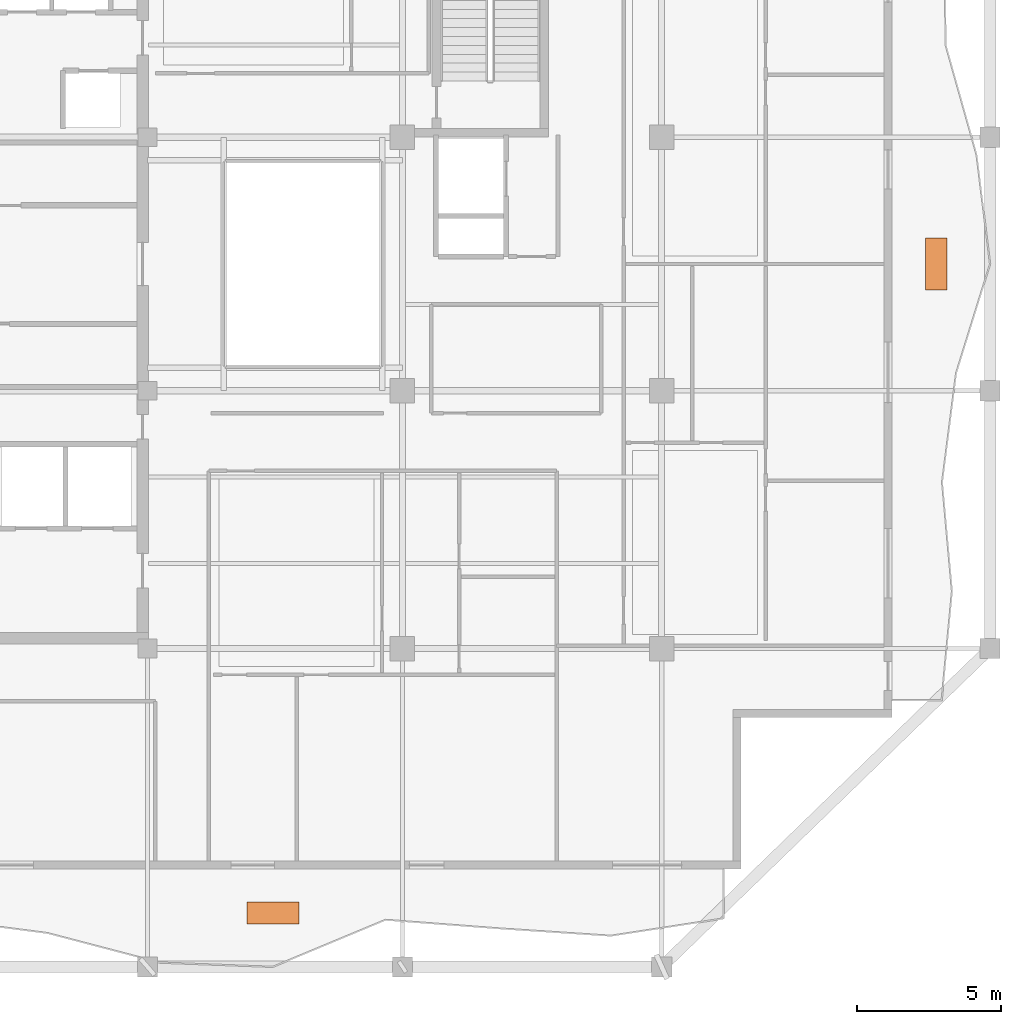
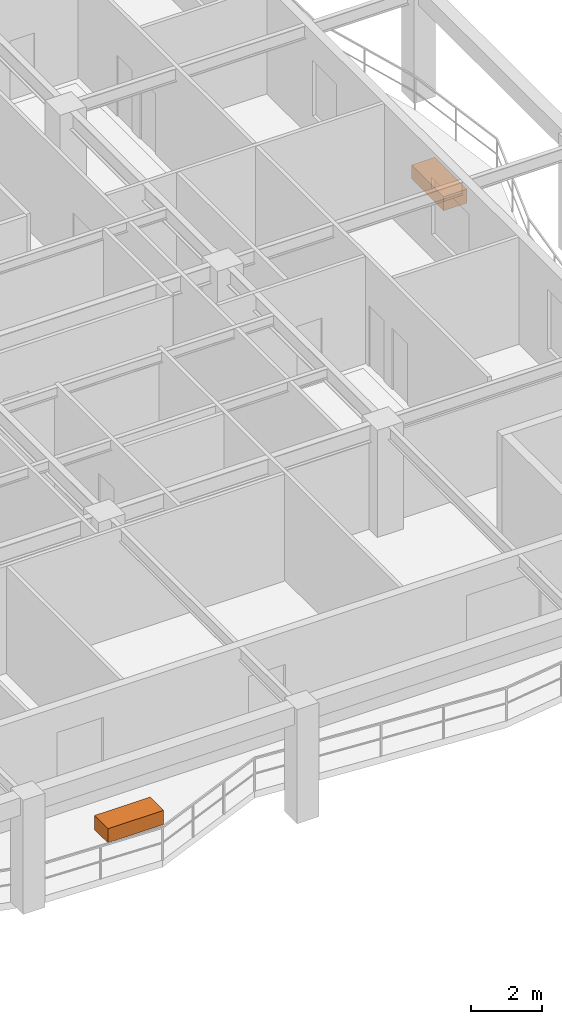
# One storey, part 11 of 11: 2 proxies.
"""IFC4 building model written with IfcOpenShell, lengths in metres."""

import ifcopenshell
import ifcopenshell.guid

model = None  # the IFC model being written
_history = None  # IfcOwnerHistory: only IFC2X3 demands one
_inside = {}  # id of a spatial element -> (the spatial element, [elements in it])
_under = {}  # id of a project, library or spatial element -> (it, [spatial elements below it])
_declared = {}  # id of a project -> (the project, [libraries it declares])
_typed = {}  # id of a type object -> (the type object, [elements of that type])
_made_of = {}  # id of a material, layer set ... -> (it, [elements and type objects made of it])


def new_model(schema):
    """Start an empty IFC model of exactly this schema.

    Asked for "IFC4X3", IfcOpenShell would pick the latest addendum, in which some entities
    have other attributes; the version numbers below select the first issue.
    IFC2X3 requires an IfcOwnerHistory on every rooted entity: one is made here for all.
    """
    global model, _history
    if schema == "IFC4X3":
        model = ifcopenshell.file(schema_version=(4, 3, 0, 0))
    else:
        model = ifcopenshell.file(schema=schema)
    _inside.clear()
    _under.clear()
    _declared.clear()
    _typed.clear()
    _made_of.clear()
    _history = None
    if model.schema == "IFC2X3":
        org = make("IfcOrganization", Name="unknown")
        user = make(
            "IfcPersonAndOrganization",
            ThePerson=make("IfcPerson", FamilyName="unknown"),
            TheOrganization=org,
        )
        app = make(
            "IfcApplication",
            ApplicationDeveloper=org,
            Version="unknown",
            ApplicationFullName="unknown",
            ApplicationIdentifier="unknown",
        )
        _history = make(
            "IfcOwnerHistory",
            OwningUser=user,
            OwningApplication=app,
            ChangeAction="ADDED",
            CreationDate=0,
        )
    return model


def make(cls, **values):
    """One entity of the class cls with the attributes given. An attribute that is None is left unset."""
    return model.create_entity(
        cls, **{name: value for name, value in values.items() if value is not None}
    )


def rooted(cls, **values):
    """An entity with a GlobalId (a new one), such as an element, a storey or a relation."""
    return make(cls, GlobalId=ifcopenshell.guid.new(), OwnerHistory=_history, **values)


def si_unit(unit_type, name, prefix=None):
    """IfcSIUnit, for example si_unit("LENGTHUNIT", "METRE", prefix="MILLI")."""
    return make("IfcSIUnit", UnitType=unit_type, Prefix=prefix, Name=name)


def assignment(units):
    """IfcUnitAssignment: the units of a project."""
    return None if units is None else make("IfcUnitAssignment", Units=units)


def point(xyz):
    """IfcCartesianPoint."""
    return None if xyz is None else make("IfcCartesianPoint", Coordinates=xyz)


def direction(xyz):
    """IfcDirection."""
    return None if xyz is None else make("IfcDirection", DirectionRatios=xyz)


def frame(location, z_axis=None, x_axis=None):
    """IfcAxis2Placement3D, a coordinate frame: its origin and axes. An axis left out is left unset."""
    return make(
        "IfcAxis2Placement3D",
        Location=point(location),
        Axis=direction(z_axis),
        RefDirection=direction(x_axis),
    )


def frame_2d(location, x_axis=None):
    """IfcAxis2Placement2D, a coordinate frame in the plane: its origin and x axis."""
    return make(
        "IfcAxis2Placement2D", Location=point(location), RefDirection=direction(x_axis)
    )


def origin():
    """The frame at (0, 0, 0) with its axes left unset."""
    return frame((0.0, 0.0, 0.0))


def origin_2d():
    """The frame at (0, 0) in the plane with its x axis left unset."""
    return frame_2d((0.0, 0.0))


def place(relative_to, where):
    """IfcLocalPlacement: puts the frame where relative to a parent placement (None: the world)."""
    return make(
        "IfcLocalPlacement", PlacementRelTo=relative_to, RelativePlacement=where
    )


def context(
    kind, dimensions, precision=None, world=None, true_north=None, identifier=None
):
    """IfcGeometricRepresentationContext, for example the 3D "Model" context."""
    return make(
        "IfcGeometricRepresentationContext",
        ContextIdentifier=identifier,
        ContextType=kind,
        CoordinateSpaceDimension=dimensions,
        Precision=precision,
        WorldCoordinateSystem=world,
        TrueNorth=true_north,
    )


def subcontext(parent, identifier, kind, view, scale=None):
    """IfcGeometricRepresentationSubContext, for example "Body" below "Model"."""
    return make(
        "IfcGeometricRepresentationSubContext",
        ContextIdentifier=identifier,
        ContextType=kind,
        ParentContext=parent,
        TargetScale=scale,
        TargetView=view,
    )


def project(units=None, contexts=None):
    """IfcProject with its units and contexts."""
    return rooted(
        "IfcProject",
        Name="project",
        RepresentationContexts=contexts,
        UnitsInContext=assignment(units),
    )


def spatial(cls, under=None, at=None, **own):
    """A site, building, storey or space (cls), placed at a placement, below another one or the project."""
    s = rooted(cls, ObjectPlacement=at, **own)
    if under is not None:
        _under.setdefault(under.id(), (under, []))[1].append(s)
    return s


def profile(cls, at=None, kind="AREA", **sizes):
    """A parametric profile (cls). Its sizes go by their IFC names, for example OverallWidth=200.0."""
    return make(cls, ProfileType=kind, Position=at, **sizes)


def rectangle(**sizes):
    """IfcRectangleProfileDef."""
    return profile("IfcRectangleProfileDef", **sizes)


def extrude(swept, where, along, depth):
    """IfcExtrudedAreaSolid: the profile swept, set in the frame where, extruded along a direction by depth."""
    return make(
        "IfcExtrudedAreaSolid",
        SweptArea=swept,
        Position=where,
        ExtrudedDirection=direction(along),
        Depth=depth,
    )


def shape(context_of_items, identifier, shape_type, items):
    """IfcShapeRepresentation: the items that make up one representation, for example the "Body"."""
    return make(
        "IfcShapeRepresentation",
        ContextOfItems=context_of_items,
        RepresentationIdentifier=identifier,
        RepresentationType=shape_type,
        Items=items,
    )


def material(Name=None, Category=None):
    """IfcMaterial."""
    return make("IfcMaterial", Name=Name, Category=Category)


def made_of(thing, what):
    """Note that an element or type object is made of a material, layer set ...; save() writes the relation."""
    if what is not None:
        _made_of.setdefault(what.id(), (what, []))[1].append(thing)
    return thing


def type_object(cls, material=None, **own):
    """A type object (cls), such as IfcWallType, which elements share."""
    return made_of(rooted(cls, **own), material)


def element(
    cls,
    number,
    at=None,
    inside=None,
    cuts=None,
    type_object=None,
    material=None,
    context=None,
    identifier="Body",
    shape_type=None,
    held_by="IfcProductDefinitionShape",
    body=None,
    shapes=None,
    **own,
):
    """One element of the class cls, such as IfcWall. Its Tag is "e" and its number.

    at: its placement. inside: the storey or other place that contains it. cuts: it is an
    opening in that element (IfcRelVoidsElement). A single representation is given by context,
    identifier, shape_type and body (its items); several are given by shapes. held_by: the class
    of the entity that holds the representations. save() writes the other relations.
    """
    e = rooted(cls, Tag="e%d" % number, ObjectPlacement=at, **own)
    if body is not None:
        shapes = [shape(context, identifier, shape_type, body)]
    if shapes is not None:
        e.Representation = make(held_by, Representations=shapes)
    if inside is not None:
        _inside.setdefault(inside.id(), (inside, []))[1].append(e)
    if cuts is not None:
        rooted(
            "IfcRelVoidsElement", RelatingBuildingElement=cuts, RelatedOpeningElement=e
        )
    if type_object is not None:
        _typed.setdefault(type_object.id(), (type_object, []))[1].append(e)
    return made_of(e, material)


def aggregate(whole, parts):
    """IfcRelAggregates: a whole, such as a stair, and the parts it consists of."""
    return rooted("IfcRelAggregates", RelatingObject=whole, RelatedObjects=parts)


def save(model, path):
    """Write the relations noted so far, then the file.

    IfcRelAggregates (storeys below a building ...), IfcRelContainedInSpatialStructure (elements
    in a storey), IfcRelDefinesByType, IfcRelAssociatesMaterial and IfcRelDeclares: one each for
    every whole, place, type object, material and project.
    """
    for whole, parts in _under.values():
        aggregate(whole, parts)
    for where, things in _inside.values():
        rooted(
            "IfcRelContainedInSpatialStructure",
            RelatedElements=things,
            RelatingStructure=where,
        )
    for kind, things in _typed.values():
        rooted("IfcRelDefinesByType", RelatedObjects=things, RelatingType=kind)
    for what, things in _made_of.values():
        rooted("IfcRelAssociatesMaterial", RelatedObjects=things, RelatingMaterial=what)
    for by, libraries in _declared.values():
        rooted("IfcRelDeclares", RelatingContext=by, RelatedDefinitions=libraries)
    model.write(path)


model = new_model("IFC4")

# Units and contexts
model_context = context("Model", 3, precision=1e-05, world=origin(), true_north=direction((0.0, 1.0)))
body_context = subcontext(model_context, "Body", "Model", "MODEL_VIEW")
ifc_project = project(units=[si_unit("LENGTHUNIT", "METRE"), si_unit("AREAUNIT", "SQUARE_METRE"), si_unit("VOLUMEUNIT", "CUBIC_METRE"), si_unit("PLANEANGLEUNIT", "RADIAN"), si_unit("MASSUNIT", "GRAM", prefix="KILO")], contexts=[model_context])

# Site, building, storey
site_placement = place(None, origin())
site = spatial("IfcSite", under=ifc_project, at=site_placement, CompositionType="ELEMENT")
building_placement = place(site_placement, origin())
building = spatial("IfcBuilding", under=site, at=building_placement, Name="Kundavana Baori Tower", CompositionType="ELEMENT")
storey_placement = place(building_placement, frame((0.0, 0.0, 221.89990234375)))
storey = spatial("IfcBuildingStorey", under=building, at=storey_placement, Name="L54", CompositionType="ELEMENT", Elevation=221.89990234375)

# Proxies
ifc_material = material(Name="Red-Buff Dholpur Sandstone Cladding on Concrete C40/50", Category="masonry")
building_element_proxy_type = type_object("IfcBuildingElementProxyType", Name="PRX-PLANTER-1800", PredefinedType="USERDEFINED", material=ifc_material)
for number, where, z_axis, x_axis, name in (
    (1, (29.300048828125, 6.070068359375, 0.0), (0.0, 0.0, 1.0), (1.0, 0.0, 0.0), "L54 Dholpur Stone Structural Tree Planter S"),
    (2, (52.330078125, 28.60009765625, 0.0), (0.0, 0.0, 1.0), (0.0, 1.0, 0.0), "L54 Dholpur Stone Structural Tree Planter E"),
):
    element("IfcBuildingElementProxy", number, at=place(storey_placement, frame(where, z_axis=z_axis, x_axis=x_axis)), inside=storey, type_object=building_element_proxy_type, Name=name, ObjectType="PLANTER", PredefinedType="USERDEFINED", context=body_context, shape_type="SweptSolid", body=[
        extrude(rectangle(XDim=1.800048828125, YDim=0.75, at=origin_2d()), origin(), (0.0, 0.0, 1.0), 0.47998046875),
    ])

save(model, "model.ifc")
